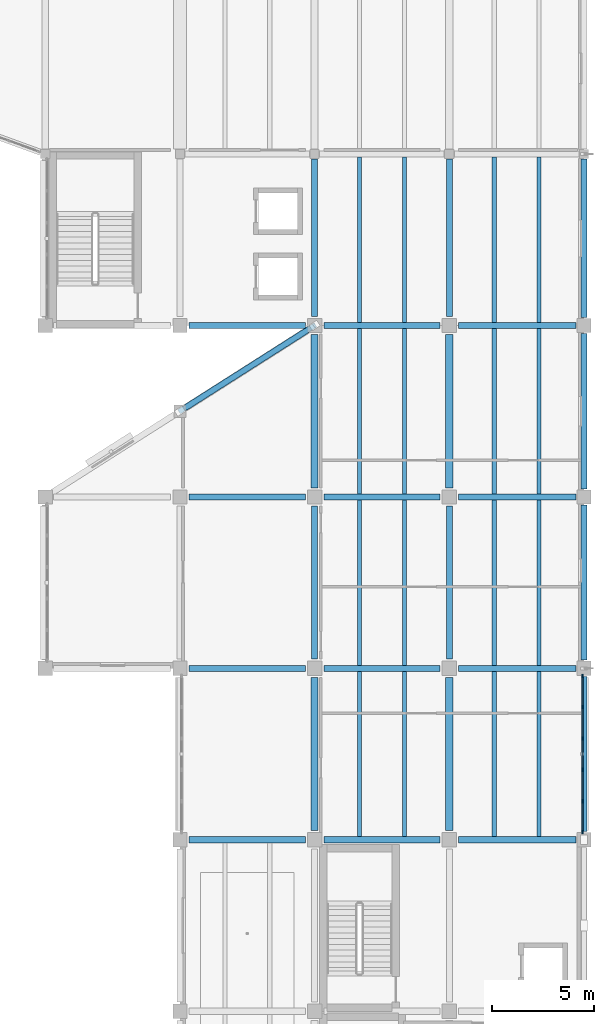
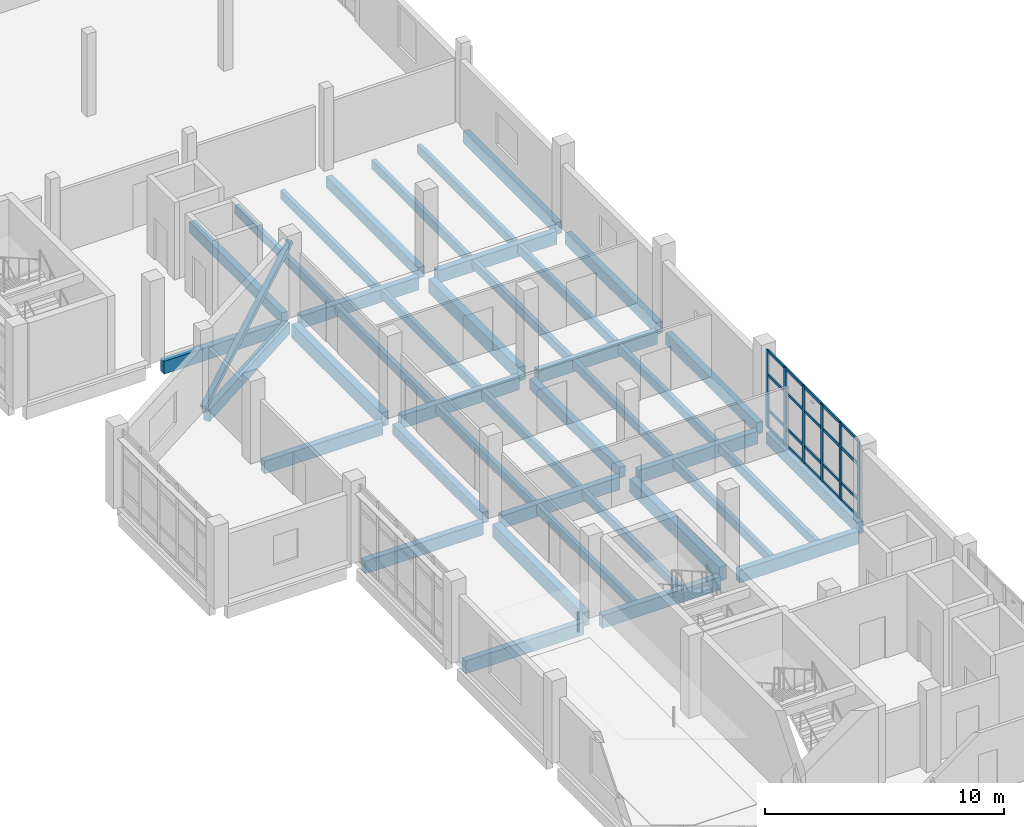
# One storey, part 23 of 74: 41 beams, 27 members, 1 element without a shape of its own.
"""IFC4 building model written with IfcOpenShell, lengths in metres."""

from ifc_helpers import new_model, si_unit, direction, frame, origin, origin_2d, place, context, subcontext, project, spatial, rectangle, hollow_rectangle, extrude, material, material_profile, profile_set, type_object, element, aggregate, save


model = new_model("IFC4")

# Units and contexts
model_context = context("Model", 3, precision=1e-05, world=origin(), true_north=direction((0.0, 1.0)))
body_context = subcontext(model_context, "Body", "Model", "MODEL_VIEW")
ifc_project = project(units=[si_unit("LENGTHUNIT", "METRE"), si_unit("AREAUNIT", "SQUARE_METRE"), si_unit("VOLUMEUNIT", "CUBIC_METRE"), si_unit("PLANEANGLEUNIT", "RADIAN"), si_unit("MASSUNIT", "GRAM", prefix="KILO")], contexts=[model_context])

# Site, building, storey
site_placement = place(None, origin())
site = spatial("IfcSite", under=ifc_project, at=site_placement, CompositionType="ELEMENT")
building_placement = place(site_placement, origin())
building = spatial("IfcBuilding", under=site, at=building_placement, Name="Qaldarim Faculty of Natural and Applied Sciences", CompositionType="ELEMENT")
storey_placement = place(building_placement, frame((0.0, 0.0, 14.39990234375)))
storey = spatial("IfcBuildingStorey", under=building, at=storey_placement, Name="L03", CompositionType="ELEMENT", Elevation=14.39990234375)

# Beams
ifc_material_1 = material(Name="Concrete C40/50", Category="concrete")
ifc_material_profile_1 = material_profile(ifc_material_1, rectangle(XDim=0.300048828125, YDim=0.550048828125, at=origin_2d()), Name="RC-B300x550")
ifc_profile_set_1 = profile_set([ifc_material_profile_1], Name="Concrete C40/50")
beam_type_1 = type_object("IfcBeamType", Name="FloorBeam-RC300x550", PredefinedType="BEAM", material=ifc_profile_set_1)
beam_1_placement = place(storey_placement, frame((165.0, 42.449951171875, -0.534912109375), z_axis=(0.0, 1.0, 0.0), x_axis=(-1.0, 0.0, 0.0)))
element("IfcBeam", 1, at=beam_1_placement, inside=storey, type_object=beam_type_1, Name="Beam RC-B300x550 L02 X26/Y06-Y07", PredefinedType="BEAM", context=body_context, shape_type="SweptSolid", body=[
    extrude(rectangle(XDim=0.300048828125, YDim=0.550048828125, at=origin_2d()), origin(), (0.0, 0.0, 1.0), 7.5),
])
beam_2_placement = place(storey_placement, frame((165.0, 59.25, -0.534912109375), z_axis=(0.0, 1.0, 0.0), x_axis=(-1.0, 0.0, 0.0)))
element("IfcBeam", 2, at=beam_2_placement, inside=storey, type_object=beam_type_1, Name="Beam RC-B300x550 L02 X26/Y08-Y09", PredefinedType="BEAM", context=body_context, shape_type="SweptSolid", body=[
    extrude(rectangle(XDim=0.300048828125, YDim=0.550048828125, at=origin_2d()), origin(), (0.0, 0.0, 1.0), 7.699951171875),
])
beam_3_placement = place(storey_placement, frame((171.60009765625, 42.449951171875, -0.534912109375), z_axis=(0.0, 1.0, 0.0), x_axis=(-1.0, 0.0, 0.0)))
element("IfcBeam", 3, at=beam_3_placement, inside=storey, type_object=beam_type_1, Name="Beam RC-B300x550 L02 X27/Y06-Y07", PredefinedType="BEAM", context=body_context, shape_type="SweptSolid", body=[
    extrude(rectangle(XDim=0.300048828125, YDim=0.550048828125, at=origin_2d()), origin(), (0.0, 0.0, 1.0), 7.5),
])
beam_4_placement = place(storey_placement, frame((171.60009765625, 59.25, -0.534912109375), z_axis=(0.0, 1.0, 0.0), x_axis=(-1.0, 0.0, 0.0)))
element("IfcBeam", 4, at=beam_4_placement, inside=storey, type_object=beam_type_1, Name="Beam RC-B300x550 L02 X27/Y08-Y09", PredefinedType="BEAM", context=body_context, shape_type="SweptSolid", body=[
    extrude(rectangle(XDim=0.300048828125, YDim=0.550048828125, at=origin_2d()), origin(), (0.0, 0.0, 1.0), 7.699951171875),
])
ifc_material_profile_2 = material_profile(ifc_material_1, rectangle(XDim=0.199951171875, YDim=0.449951171875, at=origin_2d()), Name="RC-J200x450")
ifc_profile_set_2 = profile_set([ifc_material_profile_2], Name="Concrete C40/50")
beam_type_2 = type_object("IfcBeamType", Name="LabJoist-RC200x450", PredefinedType="JOIST", material=ifc_profile_set_2)
for number, where, z_axis, x_axis, name in (
    (5, (167.199951171875, 33.75, -0.48486328125), (0.0, 1.0, 0.0), (-1.0, 0.0, 0.0), "Laboratory joist L02 bay X26Y05-1"),
    (6, (169.39990234375, 33.75, -0.48486328125), (0.0, 1.0, 0.0), (-1.0, 0.0, 0.0), "Laboratory joist L02 bay X26Y05-2"),
    (7, (167.199951171875, 42.14990234375, -0.48486328125), (0.0, 1.0, 0.0), (-1.0, 0.0, 0.0), "Laboratory joist L02 bay X26Y06-1"),
    (8, (169.39990234375, 42.14990234375, -0.48486328125), (0.0, 1.0, 0.0), (-1.0, 0.0, 0.0), "Laboratory joist L02 bay X26Y06-2"),
):
    element("IfcBeam", number, at=place(storey_placement, frame(where, z_axis=z_axis, x_axis=x_axis)), inside=storey, type_object=beam_type_2, Name=name, PredefinedType="JOIST", context=body_context, shape_type="SweptSolid", body=[
        extrude(rectangle(XDim=0.199951171875, YDim=0.449951171875, at=origin_2d()), origin(), (0.0, 0.0, 1.0), 8.10009765625),
    ])
for number, where, z_axis, x_axis, name in (
    (9, (167.199951171875, 50.550048828125, -0.48486328125), (0.0, 1.0, 0.0), (-1.0, 0.0, 0.0), "Laboratory joist L02 bay X26Y07-1"),
    (10, (169.39990234375, 50.550048828125, -0.48486328125), (0.0, 1.0, 0.0), (-1.0, 0.0, 0.0), "Laboratory joist L02 bay X26Y07-2"),
):
    element("IfcBeam", number, at=place(storey_placement, frame(where, z_axis=z_axis, x_axis=x_axis)), inside=storey, type_object=beam_type_2, Name=name, PredefinedType="JOIST", context=body_context, shape_type="SweptSolid", body=[
        extrude(rectangle(XDim=0.199951171875, YDim=0.449951171875, at=origin_2d()), origin(), (0.0, 0.0, 1.0), 8.099853515625),
    ])
for number, where, z_axis, x_axis, name in (
    (11, (167.199951171875, 58.949951171875, -0.48486328125), (0.0, 1.0, 0.0), (-1.0, 0.0, 0.0), "Laboratory joist L02 bay X26Y08-1"),
    (12, (169.39990234375, 58.949951171875, -0.48486328125), (0.0, 1.0, 0.0), (-1.0, 0.0, 0.0), "Laboratory joist L02 bay X26Y08-2"),
    (13, (173.800048828125, 33.75, -0.48486328125), (0.0, 1.0, 0.0), (-1.0, 0.0, 0.0), "Laboratory joist L02 bay X27Y05-1"),
    (14, (176.0, 33.75, -0.48486328125), (0.0, 1.0, 0.0), (-1.0, 0.0, 0.0), "Laboratory joist L02 bay X27Y05-2"),
    (15, (173.800048828125, 42.14990234375, -0.48486328125), (0.0, 1.0, 0.0), (-1.0, 0.0, 0.0), "Laboratory joist L02 bay X27Y06-1"),
    (16, (176.0, 42.14990234375, -0.48486328125), (0.0, 1.0, 0.0), (-1.0, 0.0, 0.0), "Laboratory joist L02 bay X27Y06-2"),
):
    element("IfcBeam", number, at=place(storey_placement, frame(where, z_axis=z_axis, x_axis=x_axis)), inside=storey, type_object=beam_type_2, Name=name, PredefinedType="JOIST", context=body_context, shape_type="SweptSolid", body=[
        extrude(rectangle(XDim=0.199951171875, YDim=0.449951171875, at=origin_2d()), origin(), (0.0, 0.0, 1.0), 8.10009765625),
    ])
for number, where, z_axis, x_axis, name in (
    (17, (173.800048828125, 50.550048828125, -0.48486328125), (0.0, 1.0, 0.0), (-1.0, 0.0, 0.0), "Laboratory joist L02 bay X27Y07-1"),
    (18, (176.0, 50.550048828125, -0.48486328125), (0.0, 1.0, 0.0), (-1.0, 0.0, 0.0), "Laboratory joist L02 bay X27Y07-2"),
):
    element("IfcBeam", number, at=place(storey_placement, frame(where, z_axis=z_axis, x_axis=x_axis)), inside=storey, type_object=beam_type_2, Name=name, PredefinedType="JOIST", context=body_context, shape_type="SweptSolid", body=[
        extrude(rectangle(XDim=0.199951171875, YDim=0.449951171875, at=origin_2d()), origin(), (0.0, 0.0, 1.0), 8.099853515625),
    ])
for number, where, z_axis, x_axis, name in (
    (19, (173.800048828125, 58.949951171875, -0.48486328125), (0.0, 1.0, 0.0), (-1.0, 0.0, 0.0), "Laboratory joist L02 bay X27Y08-1"),
    (20, (176.0, 58.949951171875, -0.48486328125), (0.0, 1.0, 0.0), (-1.0, 0.0, 0.0), "Laboratory joist L02 bay X27Y08-2"),
):
    element("IfcBeam", number, at=place(storey_placement, frame(where, z_axis=z_axis, x_axis=x_axis)), inside=storey, type_object=beam_type_2, Name=name, PredefinedType="JOIST", context=body_context, shape_type="SweptSolid", body=[
        extrude(rectangle(XDim=0.199951171875, YDim=0.449951171875, at=origin_2d()), origin(), (0.0, 0.0, 1.0), 8.10009765625),
    ])

# Member
ifc_material_2 = material(Name="Structural steel S355", Category="steel")
ifc_material_profile_3 = material_profile(ifc_material_2, hollow_rectangle(XDim=0.25, YDim=0.25, WallThickness=0.01611328125, at=origin_2d()), Name="SHS 250x250x16.0")
ifc_profile_set_3 = profile_set([ifc_material_profile_3], Name="Structural steel S355")
member_type_1 = type_object("IfcMemberType", Name="MidWingBrace-SHS250x16", PredefinedType="BRACE", material=ifc_profile_set_3)
member_1_placement = place(storey_placement, frame((158.39990234375, 54.60009765625, 0.0), z_axis=(0.764915938828, 0.486751827168, 0.421872332911), x_axis=(-0.536865395558, 0.843667912778, 0.0)))
element("IfcMember", 21, at=member_1_placement, inside=storey, type_object=member_type_1, Name="Oblique NW chamfer diagrid brace L03", PredefinedType="BRACE", context=body_context, shape_type="SweptSolid", body=[
    extrude(hollow_rectangle(XDim=0.25, YDim=0.25, WallThickness=0.01611328125, at=origin_2d()), origin(), (0.0, 0.0, 1.0), 8.62841796875),
])

# Curtain wall, members
ifc_material_3 = material(Name="Anodised aluminium AW-6063", Category="aluminium")
curtain_wall_type = type_object("IfcCurtainWallType", Name="CurtainWallSystem-M1700", PredefinedType="USERDEFINED", material=ifc_material_3)
curtain_wall_placement = place(storey_placement, origin())
curtain_wall = element("IfcCurtainWall", 22, at=curtain_wall_placement, inside=storey, type_object=curtain_wall_type, Name="Curtain wall CW-L03-E-X27Y05", ObjectType="UNITISED FACADE", PredefinedType="USERDEFINED")
ifc_material_profile_4 = material_profile(ifc_material_3, rectangle(XDim=0.070068359375, YDim=0.179931640625, at=origin_2d()), Name="ALU-M70x180")
ifc_profile_set_4 = profile_set([ifc_material_profile_4], Name="Anodised aluminium AW-6063")
member_type_2 = type_object("IfcMemberType", Name="Mullion-ALU70x180", PredefinedType="MULLION", material=ifc_profile_set_4)
member_2_placement = place(storey_placement, frame((178.1201171875, 33.97998046875, 0.0), z_axis=(0.0, 0.0, 1.0), x_axis=(-1.0, 0.0, 0.0)))
member_2 = element("IfcMember", 23, at=member_2_placement, type_object=member_type_2, Name="Mullion 1 of CW-L03-E-X27Y05", PredefinedType="MULLION", context=body_context, shape_type="SweptSolid", body=[
    extrude(rectangle(XDim=0.070068359375, YDim=0.179931640625, at=origin_2d()), origin(), (0.0, 0.0, 1.0), 3.940185546875),
])
member_3_placement = place(storey_placement, frame((178.1201171875, 35.487060546875, 0.0), z_axis=(0.0, 0.0, 1.0), x_axis=(-1.0, 0.0, 0.0)))
member_3 = element("IfcMember", 24, at=member_3_placement, type_object=member_type_2, Name="Mullion 2 of CW-L03-E-X27Y05", PredefinedType="MULLION", context=body_context, shape_type="SweptSolid", body=[
    extrude(rectangle(XDim=0.070068359375, YDim=0.179931640625, at=origin_2d()), origin(), (0.0, 0.0, 1.0), 3.940185546875),
])
member_4_placement = place(storey_placement, frame((178.1201171875, 37.029052734375, 0.0), z_axis=(0.0, 0.0, 1.0), x_axis=(-1.0, 0.0, 0.0)))
member_4 = element("IfcMember", 25, at=member_4_placement, type_object=member_type_2, Name="Mullion 3 of CW-L03-E-X27Y05", PredefinedType="MULLION", context=body_context, shape_type="SweptSolid", body=[
    extrude(rectangle(XDim=0.070068359375, YDim=0.179931640625, at=origin_2d()), origin(), (0.0, 0.0, 1.0), 3.940185546875),
])
member_5_placement = place(storey_placement, frame((178.1201171875, 38.571044921875, 0.0), z_axis=(0.0, 0.0, 1.0), x_axis=(-1.0, 0.0, 0.0)))
member_5 = element("IfcMember", 26, at=member_5_placement, type_object=member_type_2, Name="Mullion 4 of CW-L03-E-X27Y05", PredefinedType="MULLION", context=body_context, shape_type="SweptSolid", body=[
    extrude(rectangle(XDim=0.070068359375, YDim=0.179931640625, at=origin_2d()), origin(), (0.0, 0.0, 1.0), 3.940185546875),
])
member_6_placement = place(storey_placement, frame((178.1201171875, 40.113037109375, 0.0), z_axis=(0.0, 0.0, 1.0), x_axis=(-1.0, 0.0, 0.0)))
member_6 = element("IfcMember", 27, at=member_6_placement, type_object=member_type_2, Name="Mullion 5 of CW-L03-E-X27Y05", PredefinedType="MULLION", context=body_context, shape_type="SweptSolid", body=[
    extrude(rectangle(XDim=0.070068359375, YDim=0.179931640625, at=origin_2d()), origin(), (0.0, 0.0, 1.0), 3.940185546875),
])
member_7_placement = place(storey_placement, frame((178.1201171875, 41.6201171875, 0.0), z_axis=(0.0, 0.0, 1.0), x_axis=(-1.0, 0.0, 0.0)))
member_7 = element("IfcMember", 28, at=member_7_placement, type_object=member_type_2, Name="Mullion 6 of CW-L03-E-X27Y05", PredefinedType="MULLION", context=body_context, shape_type="SweptSolid", body=[
    extrude(rectangle(XDim=0.070068359375, YDim=0.179931640625, at=origin_2d()), origin(), (0.0, 0.0, 1.0), 3.940185546875),
])

# Beams
ifc_material_profile_5 = material_profile(ifc_material_1, rectangle(XDim=0.300048828125, YDim=0.64990234375, at=origin_2d()), Name="RC-B300x650")
ifc_profile_set_5 = profile_set([ifc_material_profile_5], Name="Concrete C40/50")
beam_type_3 = type_object("IfcBeamType", Name="PrimaryBeam-RC300x650", PredefinedType="BEAM", material=ifc_profile_set_5)
for number, where, z_axis, x_axis, name in (
    (29, (158.85009765625, 33.60009765625, -0.5849609375), (1.0, 0.0, 0.0), (0.0, 1.0, 0.0), "Beam RC-B300x650 L02 X25-X26/Y05"),
    (30, (165.449951171875, 33.60009765625, -0.5849609375), (1.0, 0.0, 0.0), (0.0, 1.0, 0.0), "Beam RC-B300x650 L02 X26-X27/Y05"),
):
    element("IfcBeam", number, at=place(storey_placement, frame(where, z_axis=z_axis, x_axis=x_axis)), inside=storey, type_object=beam_type_3, Name=name, PredefinedType="BEAM", context=body_context, shape_type="SweptSolid", body=[
        extrude(rectangle(XDim=0.300048828125, YDim=0.64990234375, at=origin_2d()), origin(), (0.0, 0.0, 1.0), 5.699951171875),
    ])
beam_5_placement = place(storey_placement, frame((172.050048828125, 33.60009765625, -0.5849609375), z_axis=(1.0, 0.0, 0.0), x_axis=(0.0, 1.0, 0.0)))
element("IfcBeam", 31, at=beam_5_placement, inside=storey, type_object=beam_type_3, Name="Beam RC-B300x650 L02 X27-X28/Y05", PredefinedType="BEAM", context=body_context, shape_type="SweptSolid", body=[
    extrude(rectangle(XDim=0.300048828125, YDim=0.64990234375, at=origin_2d()), origin(), (0.0, 0.0, 1.0), 5.75),
])
for number, where, z_axis, x_axis, name in (
    (32, (158.85009765625, 42.0, -0.5849609375), (1.0, 0.0, 0.0), (0.0, 1.0, 0.0), "Beam RC-B300x650 L02 X25-X26/Y06"),
    (33, (165.449951171875, 42.0, -0.5849609375), (1.0, 0.0, 0.0), (0.0, 1.0, 0.0), "Beam RC-B300x650 L02 X26-X27/Y06"),
):
    element("IfcBeam", number, at=place(storey_placement, frame(where, z_axis=z_axis, x_axis=x_axis)), inside=storey, type_object=beam_type_3, Name=name, PredefinedType="BEAM", context=body_context, shape_type="SweptSolid", body=[
        extrude(rectangle(XDim=0.300048828125, YDim=0.64990234375, at=origin_2d()), origin(), (0.0, 0.0, 1.0), 5.699951171875),
    ])
beam_6_placement = place(storey_placement, frame((172.050048828125, 42.0, -0.5849609375), z_axis=(1.0, 0.0, 0.0), x_axis=(0.0, 1.0, 0.0)))
element("IfcBeam", 34, at=beam_6_placement, inside=storey, type_object=beam_type_3, Name="Beam RC-B300x650 L02 X27-X28/Y06", PredefinedType="BEAM", context=body_context, shape_type="SweptSolid", body=[
    extrude(rectangle(XDim=0.300048828125, YDim=0.64990234375, at=origin_2d()), origin(), (0.0, 0.0, 1.0), 5.75),
])
for number, where, z_axis, x_axis, name in (
    (35, (158.85009765625, 50.39990234375, -0.5849609375), (1.0, 0.0, 0.0), (0.0, 1.0, 0.0), "Beam RC-B300x650 L02 X25-X26/Y07"),
    (36, (165.449951171875, 50.39990234375, -0.5849609375), (1.0, 0.0, 0.0), (0.0, 1.0, 0.0), "Beam RC-B300x650 L02 X26-X27/Y07"),
):
    element("IfcBeam", number, at=place(storey_placement, frame(where, z_axis=z_axis, x_axis=x_axis)), inside=storey, type_object=beam_type_3, Name=name, PredefinedType="BEAM", context=body_context, shape_type="SweptSolid", body=[
        extrude(rectangle(XDim=0.300048828125, YDim=0.64990234375, at=origin_2d()), origin(), (0.0, 0.0, 1.0), 5.699951171875),
    ])
beam_7_placement = place(storey_placement, frame((172.050048828125, 50.39990234375, -0.5849609375), z_axis=(1.0, 0.0, 0.0), x_axis=(0.0, 1.0, 0.0)))
element("IfcBeam", 37, at=beam_7_placement, inside=storey, type_object=beam_type_3, Name="Beam RC-B300x650 L02 X27-X28/Y07", PredefinedType="BEAM", context=body_context, shape_type="SweptSolid", body=[
    extrude(rectangle(XDim=0.300048828125, YDim=0.64990234375, at=origin_2d()), origin(), (0.0, 0.0, 1.0), 5.75),
])
for number, where, z_axis, x_axis, name in (
    (38, (158.85009765625, 58.800048828125, -0.5849609375), (1.0, 0.0, 0.0), (0.0, 1.0, 0.0), "Beam RC-B300x650 L02 X25-X26/Y08"),
    (39, (165.449951171875, 58.800048828125, -0.5849609375), (1.0, 0.0, 0.0), (0.0, 1.0, 0.0), "Beam RC-B300x650 L02 X26-X27/Y08"),
):
    element("IfcBeam", number, at=place(storey_placement, frame(where, z_axis=z_axis, x_axis=x_axis)), inside=storey, type_object=beam_type_3, Name=name, PredefinedType="BEAM", context=body_context, shape_type="SweptSolid", body=[
        extrude(rectangle(XDim=0.300048828125, YDim=0.64990234375, at=origin_2d()), origin(), (0.0, 0.0, 1.0), 5.699951171875),
    ])
beam_8_placement = place(storey_placement, frame((172.050048828125, 58.800048828125, -0.5849609375), z_axis=(1.0, 0.0, 0.0), x_axis=(0.0, 1.0, 0.0)))
element("IfcBeam", 40, at=beam_8_placement, inside=storey, type_object=beam_type_3, Name="Beam RC-B300x650 L02 X27-X28/Y08", PredefinedType="BEAM", context=body_context, shape_type="SweptSolid", body=[
    extrude(rectangle(XDim=0.300048828125, YDim=0.64990234375, at=origin_2d()), origin(), (0.0, 0.0, 1.0), 5.75),
])
ifc_material_profile_6 = material_profile(ifc_material_1, rectangle(XDim=0.35009765625, YDim=0.699951171875, at=origin_2d()), Name="RC-B350x700")
ifc_profile_set_6 = profile_set([ifc_material_profile_6], Name="Concrete C40/50")
beam_type_4 = type_object("IfcBeamType", Name="PrimaryGirder-RC350x700", PredefinedType="BEAM", material=ifc_profile_set_6)
for number, where, z_axis, x_axis, name in (
    (41, (165.0, 34.050048828125, -0.60986328125), (0.0, 1.0, 0.0), (-1.0, 0.0, 0.0), "Beam RC-B350x700 L02 X26/Y05-Y06"),
    (42, (165.0, 50.85009765625, -0.60986328125), (0.0, 1.0, 0.0), (-1.0, 0.0, 0.0), "Beam RC-B350x700 L02 X26/Y07-Y08"),
    (43, (171.60009765625, 34.050048828125, -0.60986328125), (0.0, 1.0, 0.0), (-1.0, 0.0, 0.0), "Beam RC-B350x700 L02 X27/Y05-Y06"),
    (44, (171.60009765625, 50.85009765625, -0.60986328125), (0.0, 1.0, 0.0), (-1.0, 0.0, 0.0), "Beam RC-B350x700 L02 X27/Y07-Y08"),
):
    element("IfcBeam", number, at=place(storey_placement, frame(where, z_axis=z_axis, x_axis=x_axis)), inside=storey, type_object=beam_type_4, Name=name, PredefinedType="BEAM", context=body_context, shape_type="SweptSolid", body=[
        extrude(rectangle(XDim=0.35009765625, YDim=0.699951171875, at=origin_2d()), origin(), (0.0, 0.0, 1.0), 7.5),
    ])
ifc_material_4 = material(Name="Precast concrete C40/50", Category="concrete")
ifc_material_profile_7 = material_profile(ifc_material_4, rectangle(XDim=0.300048828125, YDim=0.60009765625, at=origin_2d()), Name="RC-SP300x600")
ifc_profile_set_7 = profile_set([ifc_material_profile_7], Name="Precast concrete C40/50")
beam_type_5 = type_object("IfcBeamType", Name="SpandrelBeam-RC300x600", PredefinedType="SPANDREL", material=ifc_profile_set_7)
for number, where, z_axis, x_axis, name in (
    (45, (178.199951171875, 34.0, -0.559814453125), (0.0, 1.0, 0.0), (-1.0, 0.0, 0.0), "Beam RC-SP300x600 L02 X28/Y05-Y06"),
    (46, (178.199951171875, 42.39990234375, -0.559814453125), (0.0, 1.0, 0.0), (-1.0, 0.0, 0.0), "Beam RC-SP300x600 L02 X28/Y06-Y07"),
):
    element("IfcBeam", number, at=place(storey_placement, frame(where, z_axis=z_axis, x_axis=x_axis)), inside=storey, type_object=beam_type_5, Name=name, PredefinedType="SPANDREL", context=body_context, shape_type="SweptSolid", body=[
        extrude(rectangle(XDim=0.300048828125, YDim=0.60009765625, at=origin_2d()), origin(), (0.0, 0.0, 1.0), 7.60009765625),
    ])
beam_9_placement = place(storey_placement, frame((178.199951171875, 50.800048828125, -0.559814453125), z_axis=(0.0, 1.0, 0.0), x_axis=(-1.0, 0.0, 0.0)))
element("IfcBeam", 47, at=beam_9_placement, inside=storey, type_object=beam_type_5, Name="Beam RC-SP300x600 L02 X28/Y07-Y08", PredefinedType="SPANDREL", context=body_context, shape_type="SweptSolid", body=[
    extrude(rectangle(XDim=0.300048828125, YDim=0.60009765625, at=origin_2d()), origin(), (0.0, 0.0, 1.0), 7.599853515625),
])
beam_10_placement = place(storey_placement, frame((178.199951171875, 59.199951171875, -0.559814453125), z_axis=(0.0, 1.0, 0.0), x_axis=(-1.0, 0.0, 0.0)))
element("IfcBeam", 48, at=beam_10_placement, inside=storey, type_object=beam_type_5, Name="Beam RC-SP300x600 L02 X28/Y08-Y09", PredefinedType="SPANDREL", context=body_context, shape_type="SweptSolid", body=[
    extrude(rectangle(XDim=0.300048828125, YDim=0.60009765625, at=origin_2d()), origin(), (0.0, 0.0, 1.0), 7.75),
])
beam_11_placement = place(storey_placement, frame((158.64990234375, 54.760009765625, -0.559814453125), z_axis=(0.843786613851, 0.536678814829, 0.0), x_axis=(-0.536678814829, 0.843786613851, 0.0)))
element("IfcBeam", 49, at=beam_11_placement, inside=storey, type_object=beam_type_5, Name="Oblique NW chamfer spandrel L02 2", PredefinedType="SPANDREL", context=body_context, shape_type="SweptSolid", body=[
    extrude(rectangle(XDim=0.300048828125, YDim=0.60009765625, at=origin_2d()), origin(), (0.0, 0.0, 1.0), 7.2294921875),
])

# Member
ifc_material_profile_8 = material_profile(ifc_material_3, rectangle(XDim=0.070068359375, YDim=0.139892578125, at=origin_2d()), Name="ALU-T70x140")
ifc_profile_set_8 = profile_set([ifc_material_profile_8], Name="Anodised aluminium AW-6063")
member_type_3 = type_object("IfcMemberType", Name="Transom-ALU70x140", PredefinedType="USERDEFINED", material=ifc_profile_set_8)
member_8_placement = place(storey_placement, frame((178.1201171875, 34.014892578125, 0.03515625), z_axis=(0.0, 1.0, 0.0), x_axis=(-1.0, 0.0, 0.0)))
member_8 = element("IfcMember", 50, at=member_8_placement, type_object=member_type_3, Name="Transom 1-1 of CW-L03-E-X27Y05", ObjectType="TRANSOM", PredefinedType="USERDEFINED", context=body_context, shape_type="SweptSolid", body=[
    extrude(rectangle(XDim=0.070068359375, YDim=0.139892578125, at=origin_2d()), origin(), (0.0, 0.0, 1.0), 1.43701171875),
])

member_9_placement = place(storey_placement, frame((178.1201171875, 34.014892578125, 0.900146484375), z_axis=(0.0, 1.0, 0.0), x_axis=(-1.0, 0.0, 0.0)))
member_9 = element("IfcMember", 51, at=member_9_placement, type_object=member_type_3, Name="Transom 1-2 of CW-L03-E-X27Y05", ObjectType="TRANSOM", PredefinedType="USERDEFINED", context=body_context, shape_type="SweptSolid", body=[
    extrude(rectangle(XDim=0.070068359375, YDim=0.139892578125, at=origin_2d()), origin(), (0.0, 0.0, 1.0), 1.43701171875),
])

member_10_placement = place(storey_placement, frame((178.1201171875, 34.014892578125, 2.7001953125), z_axis=(0.0, 1.0, 0.0), x_axis=(-1.0, 0.0, 0.0)))
member_10 = element("IfcMember", 52, at=member_10_placement, type_object=member_type_3, Name="Transom 1-3 of CW-L03-E-X27Y05", ObjectType="TRANSOM", PredefinedType="USERDEFINED", context=body_context, shape_type="SweptSolid", body=[
    extrude(rectangle(XDim=0.070068359375, YDim=0.139892578125, at=origin_2d()), origin(), (0.0, 0.0, 1.0), 1.43701171875),
])

member_11_placement = place(storey_placement, frame((178.1201171875, 34.014892578125, 3.905029296875), z_axis=(0.0, 1.0, 0.0), x_axis=(-1.0, 0.0, 0.0)))
member_11 = element("IfcMember", 53, at=member_11_placement, type_object=member_type_3, Name="Transom 1-4 of CW-L03-E-X27Y05", ObjectType="TRANSOM", PredefinedType="USERDEFINED", context=body_context, shape_type="SweptSolid", body=[
    extrude(rectangle(XDim=0.070068359375, YDim=0.139892578125, at=origin_2d()), origin(), (0.0, 0.0, 1.0), 1.43701171875),
])

member_12_placement = place(storey_placement, frame((178.1201171875, 35.52197265625, 0.03515625), z_axis=(0.0, 1.0, 0.0), x_axis=(-1.0, 0.0, 0.0)))
member_12 = element("IfcMember", 54, at=member_12_placement, type_object=member_type_3, Name="Transom 2-1 of CW-L03-E-X27Y05", ObjectType="TRANSOM", PredefinedType="USERDEFINED", context=body_context, shape_type="SweptSolid", body=[
    extrude(rectangle(XDim=0.070068359375, YDim=0.139892578125, at=origin_2d()), origin(), (0.0, 0.0, 1.0), 1.471923828125),
])

member_13_placement = place(storey_placement, frame((178.1201171875, 35.52197265625, 0.900146484375), z_axis=(0.0, 1.0, 0.0), x_axis=(-1.0, 0.0, 0.0)))
member_13 = element("IfcMember", 55, at=member_13_placement, type_object=member_type_3, Name="Transom 2-2 of CW-L03-E-X27Y05", ObjectType="TRANSOM", PredefinedType="USERDEFINED", context=body_context, shape_type="SweptSolid", body=[
    extrude(rectangle(XDim=0.070068359375, YDim=0.139892578125, at=origin_2d()), origin(), (0.0, 0.0, 1.0), 1.471923828125),
])

member_14_placement = place(storey_placement, frame((178.1201171875, 35.52197265625, 2.7001953125), z_axis=(0.0, 1.0, 0.0), x_axis=(-1.0, 0.0, 0.0)))
member_14 = element("IfcMember", 56, at=member_14_placement, type_object=member_type_3, Name="Transom 2-3 of CW-L03-E-X27Y05", ObjectType="TRANSOM", PredefinedType="USERDEFINED", context=body_context, shape_type="SweptSolid", body=[
    extrude(rectangle(XDim=0.070068359375, YDim=0.139892578125, at=origin_2d()), origin(), (0.0, 0.0, 1.0), 1.471923828125),
])

member_15_placement = place(storey_placement, frame((178.1201171875, 35.52197265625, 3.905029296875), z_axis=(0.0, 1.0, 0.0), x_axis=(-1.0, 0.0, 0.0)))
member_15 = element("IfcMember", 57, at=member_15_placement, type_object=member_type_3, Name="Transom 2-4 of CW-L03-E-X27Y05", ObjectType="TRANSOM", PredefinedType="USERDEFINED", context=body_context, shape_type="SweptSolid", body=[
    extrude(rectangle(XDim=0.070068359375, YDim=0.139892578125, at=origin_2d()), origin(), (0.0, 0.0, 1.0), 1.471923828125),
])

member_16_placement = place(storey_placement, frame((178.1201171875, 37.06396484375, 0.03515625), z_axis=(0.0, 1.0, 0.0), x_axis=(-1.0, 0.0, 0.0)))
member_16 = element("IfcMember", 58, at=member_16_placement, type_object=member_type_3, Name="Transom 3-1 of CW-L03-E-X27Y05", ObjectType="TRANSOM", PredefinedType="USERDEFINED", context=body_context, shape_type="SweptSolid", body=[
    extrude(rectangle(XDim=0.070068359375, YDim=0.139892578125, at=origin_2d()), origin(), (0.0, 0.0, 1.0), 1.471923828125),
])

member_17_placement = place(storey_placement, frame((178.1201171875, 37.06396484375, 0.900146484375), z_axis=(0.0, 1.0, 0.0), x_axis=(-1.0, 0.0, 0.0)))
member_17 = element("IfcMember", 59, at=member_17_placement, type_object=member_type_3, Name="Transom 3-2 of CW-L03-E-X27Y05", ObjectType="TRANSOM", PredefinedType="USERDEFINED", context=body_context, shape_type="SweptSolid", body=[
    extrude(rectangle(XDim=0.070068359375, YDim=0.139892578125, at=origin_2d()), origin(), (0.0, 0.0, 1.0), 1.471923828125),
])

member_18_placement = place(storey_placement, frame((178.1201171875, 37.06396484375, 2.7001953125), z_axis=(0.0, 1.0, 0.0), x_axis=(-1.0, 0.0, 0.0)))
member_18 = element("IfcMember", 60, at=member_18_placement, type_object=member_type_3, Name="Transom 3-3 of CW-L03-E-X27Y05", ObjectType="TRANSOM", PredefinedType="USERDEFINED", context=body_context, shape_type="SweptSolid", body=[
    extrude(rectangle(XDim=0.070068359375, YDim=0.139892578125, at=origin_2d()), origin(), (0.0, 0.0, 1.0), 1.471923828125),
])

member_19_placement = place(storey_placement, frame((178.1201171875, 37.06396484375, 3.905029296875), z_axis=(0.0, 1.0, 0.0), x_axis=(-1.0, 0.0, 0.0)))
member_19 = element("IfcMember", 61, at=member_19_placement, type_object=member_type_3, Name="Transom 3-4 of CW-L03-E-X27Y05", ObjectType="TRANSOM", PredefinedType="USERDEFINED", context=body_context, shape_type="SweptSolid", body=[
    extrude(rectangle(XDim=0.070068359375, YDim=0.139892578125, at=origin_2d()), origin(), (0.0, 0.0, 1.0), 1.471923828125),
])

member_20_placement = place(storey_placement, frame((178.1201171875, 38.60595703125, 0.03515625), z_axis=(0.0, 1.0, 0.0), x_axis=(-1.0, 0.0, 0.0)))
member_20 = element("IfcMember", 62, at=member_20_placement, type_object=member_type_3, Name="Transom 4-1 of CW-L03-E-X27Y05", ObjectType="TRANSOM", PredefinedType="USERDEFINED", context=body_context, shape_type="SweptSolid", body=[
    extrude(rectangle(XDim=0.070068359375, YDim=0.139892578125, at=origin_2d()), origin(), (0.0, 0.0, 1.0), 1.471923828125),
])

member_21_placement = place(storey_placement, frame((178.1201171875, 38.60595703125, 0.900146484375), z_axis=(0.0, 1.0, 0.0), x_axis=(-1.0, 0.0, 0.0)))
member_21 = element("IfcMember", 63, at=member_21_placement, type_object=member_type_3, Name="Transom 4-2 of CW-L03-E-X27Y05", ObjectType="TRANSOM", PredefinedType="USERDEFINED", context=body_context, shape_type="SweptSolid", body=[
    extrude(rectangle(XDim=0.070068359375, YDim=0.139892578125, at=origin_2d()), origin(), (0.0, 0.0, 1.0), 1.471923828125),
])

member_22_placement = place(storey_placement, frame((178.1201171875, 38.60595703125, 2.7001953125), z_axis=(0.0, 1.0, 0.0), x_axis=(-1.0, 0.0, 0.0)))
member_22 = element("IfcMember", 64, at=member_22_placement, type_object=member_type_3, Name="Transom 4-3 of CW-L03-E-X27Y05", ObjectType="TRANSOM", PredefinedType="USERDEFINED", context=body_context, shape_type="SweptSolid", body=[
    extrude(rectangle(XDim=0.070068359375, YDim=0.139892578125, at=origin_2d()), origin(), (0.0, 0.0, 1.0), 1.471923828125),
])

member_23_placement = place(storey_placement, frame((178.1201171875, 38.60595703125, 3.905029296875), z_axis=(0.0, 1.0, 0.0), x_axis=(-1.0, 0.0, 0.0)))
member_23 = element("IfcMember", 65, at=member_23_placement, type_object=member_type_3, Name="Transom 4-4 of CW-L03-E-X27Y05", ObjectType="TRANSOM", PredefinedType="USERDEFINED", context=body_context, shape_type="SweptSolid", body=[
    extrude(rectangle(XDim=0.070068359375, YDim=0.139892578125, at=origin_2d()), origin(), (0.0, 0.0, 1.0), 1.471923828125),
])

member_24_placement = place(storey_placement, frame((178.1201171875, 40.14794921875, 0.03515625), z_axis=(0.0, 1.0, 0.0), x_axis=(-1.0, 0.0, 0.0)))
member_24 = element("IfcMember", 66, at=member_24_placement, type_object=member_type_3, Name="Transom 5-1 of CW-L03-E-X27Y05", ObjectType="TRANSOM", PredefinedType="USERDEFINED", context=body_context, shape_type="SweptSolid", body=[
    extrude(rectangle(XDim=0.070068359375, YDim=0.139892578125, at=origin_2d()), origin(), (0.0, 0.0, 1.0), 1.43701171875),
])

member_25_placement = place(storey_placement, frame((178.1201171875, 40.14794921875, 0.900146484375), z_axis=(0.0, 1.0, 0.0), x_axis=(-1.0, 0.0, 0.0)))
member_25 = element("IfcMember", 67, at=member_25_placement, type_object=member_type_3, Name="Transom 5-2 of CW-L03-E-X27Y05", ObjectType="TRANSOM", PredefinedType="USERDEFINED", context=body_context, shape_type="SweptSolid", body=[
    extrude(rectangle(XDim=0.070068359375, YDim=0.139892578125, at=origin_2d()), origin(), (0.0, 0.0, 1.0), 1.43701171875),
])

member_26_placement = place(storey_placement, frame((178.1201171875, 40.14794921875, 2.7001953125), z_axis=(0.0, 1.0, 0.0), x_axis=(-1.0, 0.0, 0.0)))
member_26 = element("IfcMember", 68, at=member_26_placement, type_object=member_type_3, Name="Transom 5-3 of CW-L03-E-X27Y05", ObjectType="TRANSOM", PredefinedType="USERDEFINED", context=body_context, shape_type="SweptSolid", body=[
    extrude(rectangle(XDim=0.070068359375, YDim=0.139892578125, at=origin_2d()), origin(), (0.0, 0.0, 1.0), 1.43701171875),
])

member_27_placement = place(storey_placement, frame((178.1201171875, 40.14794921875, 3.905029296875), z_axis=(0.0, 1.0, 0.0), x_axis=(-1.0, 0.0, 0.0)))
member_27 = element("IfcMember", 69, at=member_27_placement, type_object=member_type_3, Name="Transom 5-4 of CW-L03-E-X27Y05", ObjectType="TRANSOM", PredefinedType="USERDEFINED", context=body_context, shape_type="SweptSolid", body=[
    extrude(rectangle(XDim=0.070068359375, YDim=0.139892578125, at=origin_2d()), origin(), (0.0, 0.0, 1.0), 1.43701171875),
])

aggregate(curtain_wall, [member_2, member_3, member_4, member_5, member_6, member_7, member_8, member_9, member_10, member_11, member_12, member_13, member_14, member_15, member_16, member_17, member_18, member_19, member_20, member_21, member_22, member_23, member_24, member_25, member_26, member_27])

save(model, "model.ifc")
